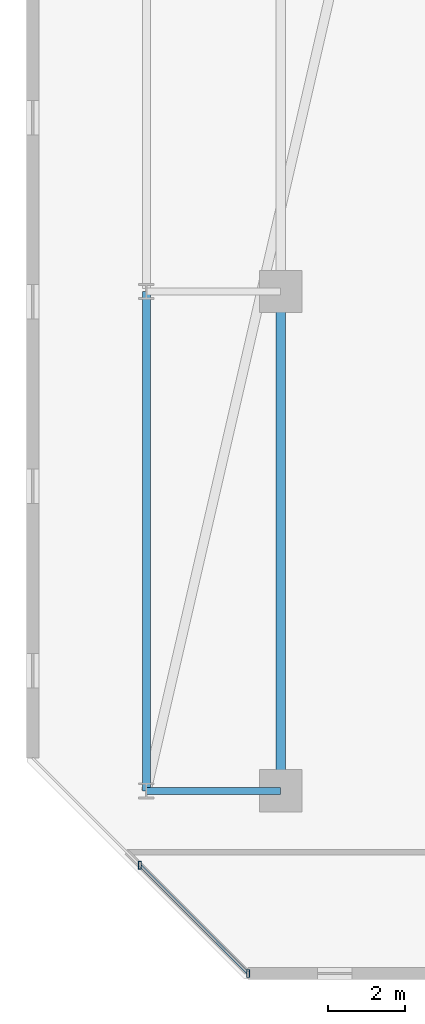
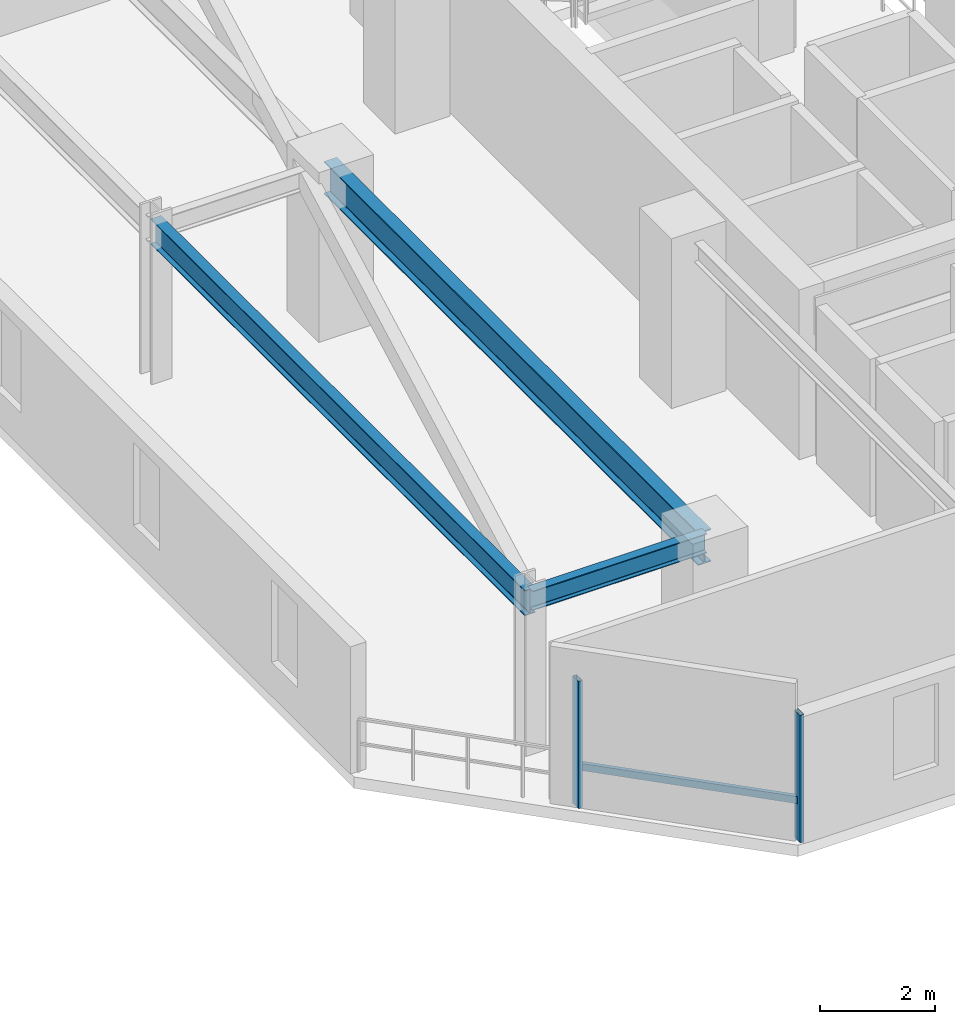
# One storey, part 6 of 32: 3 beams, 3 members, 1 element without a shape of its own.
"""IFC4 building model written with IfcOpenShell, lengths in metres."""

from ifc_helpers import new_model, si_unit, direction, frame, origin, origin_2d, place, context, subcontext, project, spatial, hollow_rectangle, i_section, extrude, material, material_profile, profile_set, type_object, element, aggregate, save


model = new_model("IFC4")

# Units and contexts
model_context = context("Model", 3, precision=1e-05, world=origin(), true_north=direction((0.0, 1.0)))
body_context = subcontext(model_context, "Body", "Model", "MODEL_VIEW")
ifc_project = project(units=[si_unit("LENGTHUNIT", "METRE"), si_unit("AREAUNIT", "SQUARE_METRE"), si_unit("VOLUMEUNIT", "CUBIC_METRE"), si_unit("PLANEANGLEUNIT", "RADIAN"), si_unit("MASSUNIT", "GRAM", prefix="KILO")], contexts=[model_context])

# Site, building, storey
site_placement = place(None, origin())
site = spatial("IfcSite", under=ifc_project, at=site_placement, CompositionType="ELEMENT")
building_placement = place(site_placement, origin())
building = spatial("IfcBuilding", under=site, at=building_placement, Name="Thornwick Lancets Civic Towers", CompositionType="ELEMENT")
storey_placement = place(building_placement, frame((0.0, 0.0, 182.10009765625)))
storey = spatial("IfcBuildingStorey", under=building, at=storey_placement, Name="L48", CompositionType="ELEMENT", Elevation=182.10009765625)

# Beams
ifc_material_1 = material(Name="Steel S355JR", Category="steel")
ifc_material_profile_1 = material_profile(ifc_material_1, i_section(OverallWidth=0.210693359375, OverallDepth=0.53955078125, WebThickness=0.01171875, FlangeThickness=0.018798828125, FilletRadius=0.0126953125, at=origin_2d()), Name="UKB 533x210x109")
ifc_profile_set_1 = profile_set([ifc_material_profile_1], Name="Steel S355JR")
beam_type_1 = type_object("IfcBeamType", Name="BM_EDGE_533_109", PredefinedType="SPANDREL", material=ifc_profile_set_1)
beam_1_placement = place(storey_placement, frame((67.699951171875, 14.0, 3.090087890625), z_axis=(0.0, 1.0, 0.0), x_axis=(-1.0, 0.0, 0.0)))
element("IfcBeam", 1, at=beam_1_placement, inside=storey, type_object=beam_type_1, Name="BM-EDGE-L48-B-S2-1", PredefinedType="SPANDREL", context=body_context, shape_type="SweptSolid", body=[
    extrude(i_section(OverallWidth=0.210693359375, OverallDepth=0.53955078125, WebThickness=0.01171875, FlangeThickness=0.018798828125, FilletRadius=0.0126953125, at=origin_2d()), origin(), (0.0, 0.0, 1.0), 13.0),
])
ifc_material_profile_2 = material_profile(ifc_material_1, i_section(OverallWidth=0.255859375, OverallDepth=0.69287109375, WebThickness=0.014404296875, FlangeThickness=0.023681640625, FilletRadius=0.01513671875, at=origin_2d()), Name="UKB 686x254x170")
ifc_profile_set_2 = profile_set([ifc_material_profile_2], Name="Steel S355JR")
beam_type_2 = type_object("IfcBeamType", Name="BM_GIRD_686_170", PredefinedType="BEAM", material=ifc_profile_set_2)
beam_2_placement = place(storey_placement, frame((71.199951171875, 14.0, 3.013427734375), z_axis=(0.0, 1.0, 0.0), x_axis=(-1.0, 0.0, 0.0)))
element("IfcBeam", 2, at=beam_2_placement, inside=storey, type_object=beam_type_2, Name="BM-SPINE-L48-B-6-7", PredefinedType="BEAM", context=body_context, shape_type="SweptSolid", body=[
    extrude(i_section(OverallWidth=0.255859375, OverallDepth=0.69287109375, WebThickness=0.014404296875, FlangeThickness=0.023681640625, FilletRadius=0.01513671875, at=origin_2d()), origin(), (0.0, 0.0, 1.0), 13.0),
])
ifc_material_profile_3 = material_profile(ifc_material_1, i_section(OverallWidth=0.179443359375, OverallDepth=0.412841796875, WebThickness=0.009521484375, FlangeThickness=0.01611328125, FilletRadius=0.01025390625, at=origin_2d()), Name="UKB 406x178x74")
ifc_profile_set_3 = profile_set([ifc_material_profile_3], Name="Steel S355JR")
beam_type_3 = type_object("IfcBeamType", Name="BM_JOIST_406_74", PredefinedType="JOIST", material=ifc_profile_set_3)
beam_3_placement = place(storey_placement, frame((71.199951171875, 14.0, 3.153564453125), z_axis=(-1.0, 0.0, 0.0), x_axis=(0.0, -1.0, 0.0)))
element("IfcBeam", 3, at=beam_3_placement, inside=storey, type_object=beam_type_3, Name="BM-RAD-L48-B07", PredefinedType="JOIST", context=body_context, shape_type="SweptSolid", body=[
    extrude(i_section(OverallWidth=0.179443359375, OverallDepth=0.412841796875, WebThickness=0.009521484375, FlangeThickness=0.01611328125, FilletRadius=0.01025390625, at=origin_2d()), origin(), (0.0, 0.0, 1.0), 3.5),
])

# Curtain wall, members
ifc_material_2 = material(Name="Mid-zone chamfered-corner unitised glass curtain wall", Category="glass")
curtain_wall_type = type_object("IfcCurtainWallType", Name="CW_SYS_04", PredefinedType="NOTDEFINED", material=ifc_material_2)
curtain_wall_placement = place(storey_placement, origin())
curtain_wall = element("IfcCurtainWall", 4, at=curtain_wall_placement, inside=storey, type_object=curtain_wall_type, Name="L48 Curtain Wall CW-L48-B-E7", PredefinedType="NOTDEFINED")
ifc_material_3 = material(Name="Thermally broken bronze aluminium S355", Category="steel")
ifc_material_profile_4 = material_profile(ifc_material_3, hollow_rectangle(XDim=0.080078125, YDim=0.199951171875, WallThickness=0.006103515625, at=origin_2d()), Name="RHS 200x80x6")
ifc_profile_set_4 = profile_set([ifc_material_profile_4], Name="Thermally broken bronze aluminium S355")
member_type_1 = type_object("IfcMemberType", Name="CW_MUL_200", PredefinedType="MULLION", material=ifc_profile_set_4)
member_1_placement = place(storey_placement, frame((67.53271484375, 12.06494140625, 0.0), z_axis=(0.0, 0.0, 1.0), x_axis=(1.0, 0.0, 0.0)))
member_1 = element("IfcMember", 5, at=member_1_placement, type_object=member_type_1, Name="CW-L48-B-E7 Mullion 0", PredefinedType="MULLION", context=body_context, shape_type="SweptSolid", body=[
    extrude(hollow_rectangle(XDim=0.080078125, YDim=0.199951171875, WallThickness=0.006103515625, at=origin_2d()), origin(), (0.0, 0.0, 1.0), 2.699951171875),
])
member_2_placement = place(storey_placement, frame((70.35205078125, 9.245361328125, 0.0), z_axis=(0.0, 0.0, 1.0), x_axis=(1.0, 0.0, 0.0)))
member_2 = element("IfcMember", 6, at=member_2_placement, type_object=member_type_1, Name="CW-L48-B-E7 Mullion 1", PredefinedType="MULLION", context=body_context, shape_type="SweptSolid", body=[
    extrude(hollow_rectangle(XDim=0.080078125, YDim=0.199951171875, WallThickness=0.006103515625, at=origin_2d()), origin(), (0.0, 0.0, 1.0), 2.699951171875),
])
ifc_material_profile_5 = material_profile(ifc_material_3, hollow_rectangle(XDim=0.074951171875, YDim=0.14990234375, WallThickness=0.0048828125, at=origin_2d()), Name="RHS 150x75x5")
ifc_profile_set_5 = profile_set([ifc_material_profile_5], Name="Thermally broken bronze aluminium S355")
member_type_2 = type_object("IfcMemberType", Name="CW_TRN_150", PredefinedType="USERDEFINED", material=ifc_profile_set_5)
member_3_placement = place(storey_placement, frame((67.546875, 12.05078125, 0.849853515625), z_axis=(0.707075855219, -0.707137705801, 0.0), x_axis=(0.707137705801, 0.707075855219, 0.0)))
member_3 = element("IfcMember", 7, at=member_3_placement, type_object=member_type_2, Name="CW-L48-B-E7 Transom 0", ObjectType="TRANSOM", PredefinedType="USERDEFINED", context=body_context, shape_type="SweptSolid", body=[
    extrude(hollow_rectangle(XDim=0.074951171875, YDim=0.14990234375, WallThickness=0.0048828125, at=origin_2d()), origin(), (0.0, 0.0, 1.0), 3.947265625),
])
aggregate(curtain_wall, [member_1, member_2, member_3])

save(model, "model.ifc")
